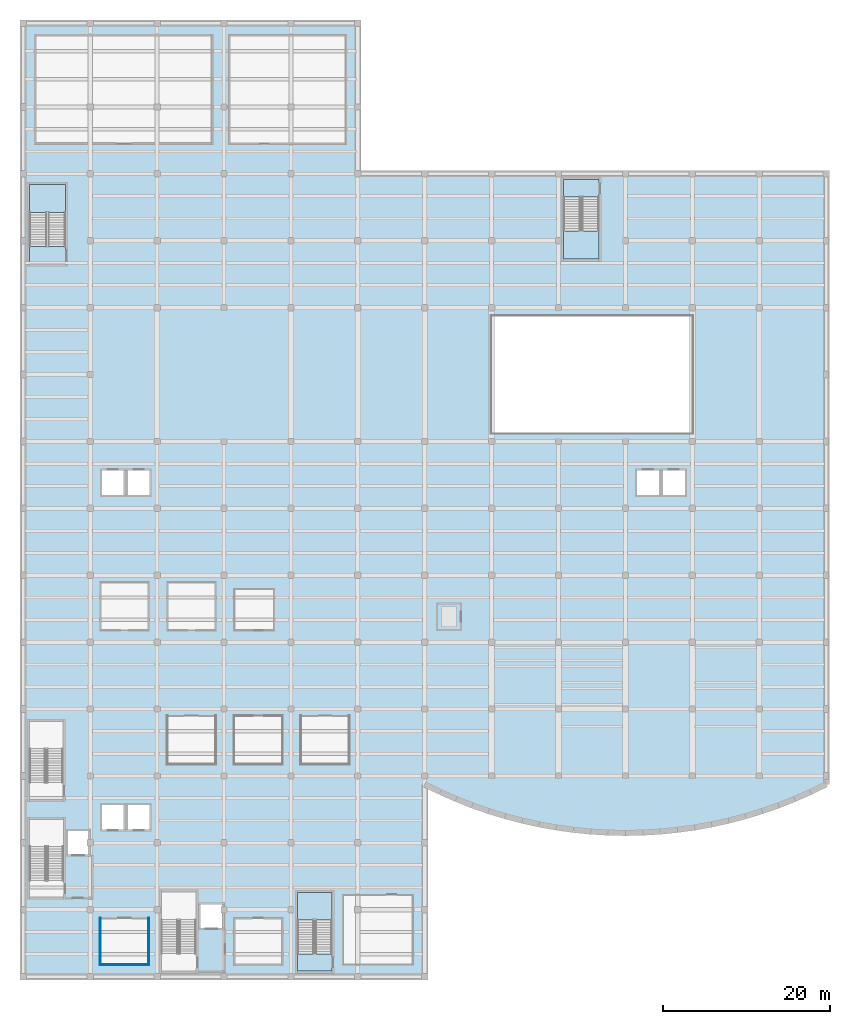
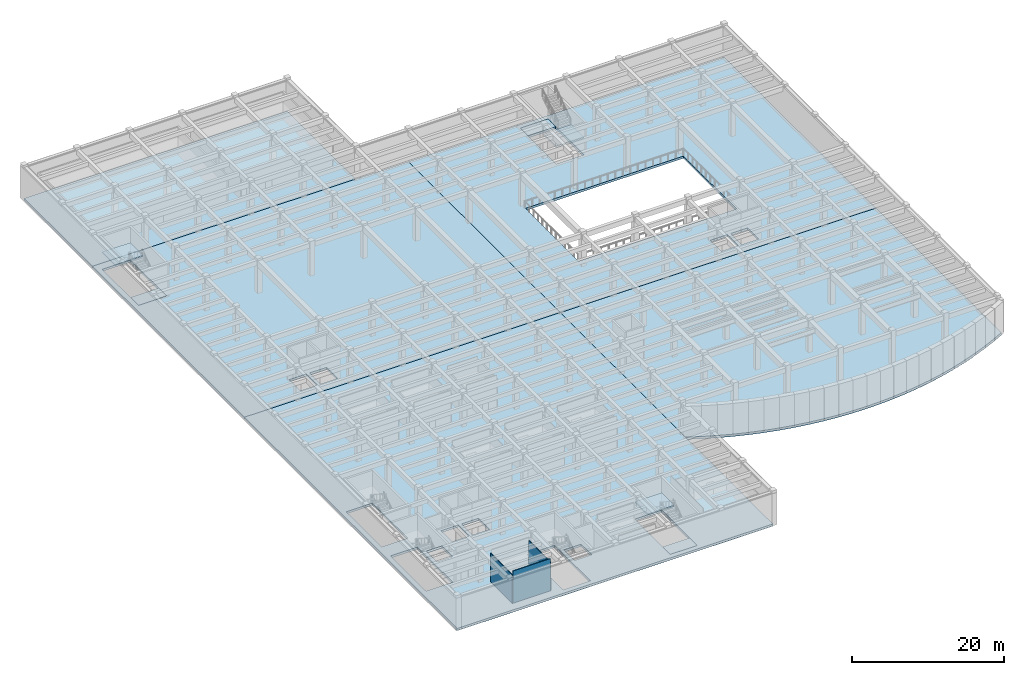
# One storey, part 4 of 19: 11 slabs, 3 walls, 3 elements without a shape of their own.
"""IFC4 building model written with IfcOpenShell, lengths in metres."""

from ifc_helpers import new_model, si_unit, direction, frame, frame_2d, origin, place, context, subcontext, project, spatial, polyline, rectangle, outline, extrude, material, layer, layer_set, type_object, element, aggregate, save


model = new_model("IFC4")

# Units and contexts
model_context = context("Model", 3, precision=1e-05, world=origin(), true_north=direction((0.0, 1.0)))
body_context = subcontext(model_context, "Body", "Model", "MODEL_VIEW")
ifc_project = project(units=[si_unit("LENGTHUNIT", "METRE"), si_unit("AREAUNIT", "SQUARE_METRE"), si_unit("VOLUMEUNIT", "CUBIC_METRE"), si_unit("PLANEANGLEUNIT", "RADIAN"), si_unit("MASSUNIT", "GRAM", prefix="KILO")], contexts=[model_context])

# Site, building, storey
site_placement = place(None, origin())
site = spatial("IfcSite", under=ifc_project, at=site_placement, CompositionType="ELEMENT")
building_placement = place(site_placement, origin())
building = spatial("IfcBuilding", under=site, at=building_placement, Name="Drelvath Fold Interchange", CompositionType="ELEMENT")
storey_placement = place(building_placement, frame((0.0, 0.0, -5.60009765625)))
storey = spatial("IfcBuildingStorey", under=building, at=storey_placement, Name="B1", CompositionType="ELEMENT", Elevation=-5.60009765625)

# Slabs
ifc_material_1 = material(Name="Concrete f'c 35 MPa (5000 psi)", Category="concrete")
ifc_layer_1 = layer(ifc_material_1, 0.360107421875, Name="Concrete f'c 35 MPa (5000 psi)")
ifc_layer_set_1 = layer_set([ifc_layer_1], Name="Concrete f'c 35 MPa (5000 psi)")
slab_type_1 = type_object("IfcSlabType", Name="FS-B1", PredefinedType="FLOOR", material=ifc_layer_set_1)
slab_1_placement = place(storey_placement, frame((0.0, 0.0, -0.35986328125)))
element("IfcSlab", 1, at=slab_1_placement, inside=storey, type_object=slab_type_1, Name="B1 structural slab SL-B1-V5", PredefinedType="FLOOR", context=body_context, shape_type="SweptSolid", body=[
    extrude(outline(polyline([(4.0, 3.0), (52.0, 3.0), (52.0, 59.0), (4.0, 59.0), (4.0, 3.0)]), holes=[polyline([(4.75, 12.5), (4.75, 21.800048828125), (8.81005859375, 21.800048828125), (8.81005859375, 12.5), (4.75, 12.5)]), polyline([(4.75, 24.199951171875), (4.75, 33.5), (8.72998046875, 33.5), (8.72998046875, 24.199951171875), (4.75, 24.199951171875)]), polyline([(20.5, 3.699951171875), (20.5, 13.10009765625), (24.659912109375, 13.10009765625), (24.659912109375, 3.699951171875), (20.5, 3.699951171875)]), polyline([(36.800048828125, 3.699951171875), (36.800048828125, 13.050048828125), (40.89990234375, 13.050048828125), (40.89990234375, 3.699951171875), (36.800048828125, 3.699951171875)]), polyline([(9.360107421875, 17.60009765625), (9.360107421875, 20.39990234375), (11.760009765625, 20.39990234375), (11.760009765625, 17.60009765625), (9.360107421875, 17.60009765625)]), polyline([(25.2099609375, 8.800048828125), (25.2099609375, 11.60009765625), (27.81005859375, 11.60009765625), (27.81005859375, 8.800048828125), (25.2099609375, 8.800048828125)]), polyline([(13.39990234375, 20.60009765625), (13.39990234375, 23.5), (16.0, 23.5), (16.0, 20.60009765625), (13.39990234375, 20.60009765625)]), polyline([(16.5, 20.60009765625), (16.5, 23.5), (19.10009765625, 23.5), (19.10009765625, 20.60009765625), (16.5, 20.60009765625)])]), origin(), (0.0, 0.0, 1.0), 0.35986328125),
])
slab_2_placement = place(storey_placement, frame((0.0, 0.0, -0.35986328125)))
element("IfcSlab", 2, at=slab_2_placement, inside=storey, type_object=slab_type_1, Name="ST-04 B1 stair floor landing slab", PredefinedType="FLOOR", context=body_context, shape_type="SweptSolid", body=[
    extrude(outline(polyline([(36.800048828125, 3.699951171875), (40.89990234375, 3.699951171875), (40.89990234375, 5.699951171875), (36.800048828125, 5.699951171875), (36.800048828125, 3.699951171875)])), origin(), (0.0, 0.0, 1.0), 0.35986328125),
])
slab_3_placement = place(storey_placement, frame((0.0, 0.0, -0.35986328125)))
element("IfcSlab", 3, at=slab_3_placement, inside=storey, type_object=slab_type_1, Name="B1 structural slab SL-B1-V1W", PredefinedType="FLOOR", context=body_context, shape_type="SweptSolid", body=[
    extrude(outline(polyline([(4.0, 59.0), (52.0, 59.0), (52.0, 99.0), (4.0, 99.0), (4.0, 59.0)]), holes=[polyline([(4.75, 88.199951171875), (4.75, 97.75), (9.030029296875, 97.75), (9.030029296875, 88.199951171875), (4.75, 88.199951171875)]), polyline([(13.39990234375, 60.60009765625), (13.39990234375, 63.5), (16.0, 63.5), (16.0, 60.60009765625), (13.39990234375, 60.60009765625)]), polyline([(16.5, 60.60009765625), (16.5, 63.5), (19.10009765625, 63.5), (19.10009765625, 60.60009765625), (16.5, 60.60009765625)])]), origin(), (0.0, 0.0, 1.0), 0.35986328125),
])
slab_4_placement = place(storey_placement, frame((0.0, 0.0, -0.35986328125)))
element("IfcSlab", 4, at=slab_4_placement, inside=storey, type_object=slab_type_1, Name="ST-05 B1 stair floor landing slab", PredefinedType="FLOOR", context=body_context, shape_type="SweptSolid", body=[
    extrude(outline(polyline([(4.75, 88.199951171875), (9.030029296875, 88.199951171875), (9.030029296875, 90.300048828125), (4.75, 90.300048828125), (4.75, 88.199951171875)])), origin(), (0.0, 0.0, 1.0), 0.35986328125),
])
slab_5_placement = place(storey_placement, frame((0.0, 0.0, -0.35986328125)))
element("IfcSlab", 5, at=slab_5_placement, inside=storey, type_object=slab_type_1, Name="B1 structural slab SL-B1-V1E", PredefinedType="FLOOR", context=body_context, shape_type="SweptSolid", body=[
    extrude(outline(polyline([(52.0, 59.0), (100.0, 59.0), (100.0, 99.0), (52.0, 99.0), (52.0, 59.0)]), holes=[polyline([(60.0, 68.0), (60.0, 82.0), (84.0, 82.0), (84.0, 68.0), (60.0, 68.0)]), polyline([(68.60009765625, 88.800048828125), (68.60009765625, 98.300048828125), (72.820068359375, 98.300048828125), (72.820068359375, 88.800048828125), (68.60009765625, 88.800048828125)]), polyline([(77.39990234375, 60.60009765625), (77.39990234375, 63.5), (80.0, 63.5), (80.0, 60.60009765625), (77.39990234375, 60.60009765625)]), polyline([(80.5, 60.60009765625), (80.5, 63.5), (83.10009765625, 63.5), (83.10009765625, 60.60009765625), (80.5, 60.60009765625)])]), origin(), (0.0, 0.0, 1.0), 0.35986328125),
])
slab_6_placement = place(storey_placement, frame((0.0, 0.0, -0.35986328125)))
element("IfcSlab", 6, at=slab_6_placement, inside=storey, type_object=slab_type_1, Name="ST-06 B1 stair floor landing slab", PredefinedType="FLOOR", context=body_context, shape_type="SweptSolid", body=[
    extrude(outline(polyline([(68.60009765625, 96.25), (72.820068359375, 96.25), (72.820068359375, 98.300048828125), (68.60009765625, 98.300048828125), (68.60009765625, 96.25)])), origin(), (0.0, 0.0, 1.0), 0.35986328125),
])
slab_7_placement = place(storey_placement, frame((0.0, 0.0, -0.35986328125)))
element("IfcSlab", 7, at=slab_7_placement, inside=storey, type_object=slab_type_1, Name="B1 structural slab SL-B1-V1N", PredefinedType="FLOOR", context=body_context, shape_type="SweptSolid", body=[
    extrude(outline(polyline([(4.0, 99.0), (44.0, 99.0), (44.0, 117.0), (4.0, 117.0), (4.0, 99.0)])), origin(), (0.0, 0.0, 1.0), 0.35986328125),
])
ifc_layer_2 = layer(ifc_material_1, 0.3798828125, Name="Concrete f'c 35 MPa (5000 psi)")
ifc_layer_set_2 = layer_set([ifc_layer_2], Name="Concrete f'c 35 MPa (5000 psi)")
slab_type_2 = type_object("IfcSlabType", Name="FS-B1W", PredefinedType="FLOOR", material=ifc_layer_set_2)
slab_8_placement = place(storey_placement, frame((0.0, 0.0, -0.3798828125)))
element("IfcSlab", 8, at=slab_8_placement, inside=storey, type_object=slab_type_2, Name="B1 structural slab SL-B1-V2", PredefinedType="FLOOR", context=body_context, shape_type="SweptSolid", body=[
    extrude(outline(polyline([(52.0, 26.0), (53.865966796875, 25.0869140625), (55.76611328125, 24.2490234375), (57.697998046875, 23.486083984375), (59.658935546875, 22.801025390625), (61.64501953125, 22.194091796875), (63.654052734375, 21.6650390625), (65.681884765625, 21.217041015625), (67.72607421875, 20.84912109375), (69.782958984375, 20.56201171875), (71.85009765625, 20.35693359375), (73.923095703125, 20.23388671875), (76.0, 20.193115234375), (78.076904296875, 20.23388671875), (80.14990234375, 20.35693359375), (82.217041015625, 20.56201171875), (84.27392578125, 20.84912109375), (86.318115234375, 21.217041015625), (88.345947265625, 21.6650390625), (90.35498046875, 22.194091796875), (92.341064453125, 22.801025390625), (94.302001953125, 23.486083984375), (96.23388671875, 24.2490234375), (98.134033203125, 25.0869140625), (100.0, 26.0), (100.0, 59.0), (52.0, 59.0), (52.0, 26.0)])), origin(), (0.0, 0.0, 1.0), 0.3798828125),
])

# Stair, slab
stair_type_1 = type_object("IfcStairType", Name="STR-04", PredefinedType="HALF_TURN_STAIR", material=ifc_material_1)
stair_1_placement = place(storey_placement, origin())
stair_1 = element("IfcStair", 9, at=stair_1_placement, inside=storey, type_object=stair_type_1, Name="B1 Protected Exit Stair ST-04", PredefinedType="HALF_TURN_STAIR")
ifc_layer_3 = layer(ifc_material_1, 0.199951171875, Name="Concrete f'c 35 MPa (5000 psi)")
ifc_layer_set_3 = layer_set([ifc_layer_3], Name="Concrete f'c 35 MPa (5000 psi)")
slab_type_3 = type_object("IfcSlabType", Name="SL-LND200", PredefinedType="LANDING", material=ifc_layer_set_3)
slab_9_placement = place(storey_placement, frame((0.0, 0.0, 2.60009765625)))
slab_9 = element("IfcSlab", 10, at=slab_9_placement, type_object=slab_type_3, Name="ST-04 landing 1", PredefinedType="LANDING", context=body_context, shape_type="SweptSolid", body=[
    extrude(outline(polyline([(40.89990234375, 9.760009765625), (40.89990234375, 13.050048828125), (36.800048828125, 13.050048828125), (36.800048828125, 9.760009765625), (40.89990234375, 9.760009765625)])), origin(), (0.0, 0.0, 1.0), 0.199951171875),
])
aggregate(stair_1, [slab_9])

stair_type_2 = type_object("IfcStairType", Name="STR-05", PredefinedType="HALF_TURN_STAIR", material=ifc_material_1)
stair_2_placement = place(storey_placement, origin())
stair_2 = element("IfcStair", 11, at=stair_2_placement, inside=storey, type_object=stair_type_2, Name="B1 Protected Exit Stair ST-05", PredefinedType="HALF_TURN_STAIR")
slab_10_placement = place(storey_placement, frame((0.0, 0.0, 2.60009765625)))
slab_10 = element("IfcSlab", 12, at=slab_10_placement, type_object=slab_type_3, Name="ST-05 landing 1", PredefinedType="LANDING", context=body_context, shape_type="SweptSolid", body=[
    extrude(outline(polyline([(9.030029296875, 94.360107421875), (9.030029296875, 97.75), (4.75, 97.75), (4.75, 94.360107421875), (9.030029296875, 94.360107421875)])), origin(), (0.0, 0.0, 1.0), 0.199951171875),
])
aggregate(stair_2, [slab_10])

stair_type_3 = type_object("IfcStairType", Name="STR-06", PredefinedType="HALF_TURN_STAIR", material=ifc_material_1)
stair_3_placement = place(storey_placement, origin())
stair_3 = element("IfcStair", 13, at=stair_3_placement, inside=storey, type_object=stair_type_3, Name="B1 Protected Exit Stair ST-06", PredefinedType="HALF_TURN_STAIR")
slab_11_placement = place(storey_placement, frame((0.0, 0.0, 2.60009765625)))
slab_11 = element("IfcSlab", 14, at=slab_11_placement, type_object=slab_type_3, Name="ST-06 landing 1", PredefinedType="LANDING", context=body_context, shape_type="SweptSolid", body=[
    extrude(outline(polyline([(68.60009765625, 92.18994140625), (68.60009765625, 88.800048828125), (72.820068359375, 88.800048828125), (72.820068359375, 92.18994140625), (68.60009765625, 92.18994140625)])), origin(), (0.0, 0.0, 1.0), 0.199951171875),
])
aggregate(stair_3, [slab_11])

# Walls
ifc_material_2 = material(Name="Acoustic Gypsum Board Partition Assembly")
ifc_layer_4 = layer(ifc_material_2, 0.114990234375, Name="Acoustic Gypsum Board Partition Assembly")
ifc_layer_set_4 = layer_set([ifc_layer_4], Name="Acoustic Gypsum Board Partition Assembly")
wall_type = type_object("IfcWallType", Name="WL-PT115", PredefinedType="PARTITIONING", material=ifc_layer_set_4)
wall_placement = place(storey_placement, frame((13.257080078125, 4.39990234375, 0.0), z_axis=(0.0, 0.0, 1.0), x_axis=(1.0, 0.0, 0.0)))
element("IfcWall", 15, at=wall_placement, inside=storey, type_object=wall_type, Name="Subway Ticket Office and Fare Desk S partition", PredefinedType="PARTITIONING", context=body_context, shape_type="SweptSolid", body=[
    extrude(rectangle(XDim=5.684814453125, YDim=0.114990234375, at=frame_2d((2.84228515625, 0.0))), origin(), (0.0, 0.0, 1.0), 5.18017578125),
])
for number, where, z_axis, x_axis, name in (
    (16, (19.0, 4.343017578125, 0.0), (0.0, 0.0, 1.0), (0.0, 1.0, 0.0), "Subway Ticket Office and Fare Desk E partition"),
    (17, (13.199951171875, 10.056884765625, 0.0), (0.0, 0.0, 1.0), (0.0, -1.0, 0.0), "Subway Ticket Office and Fare Desk W partition"),
):
    element("IfcWall", number, at=place(storey_placement, frame(where, z_axis=z_axis, x_axis=x_axis)), inside=storey, type_object=wall_type, Name=name, PredefinedType="PARTITIONING", context=body_context, shape_type="SweptSolid", body=[
        extrude(rectangle(XDim=5.7138671875, YDim=0.114990234375, at=frame_2d((2.85693359375, 0.0))), origin(), (0.0, 0.0, 1.0), 4.625),
    ])

save(model, "model.ifc")
